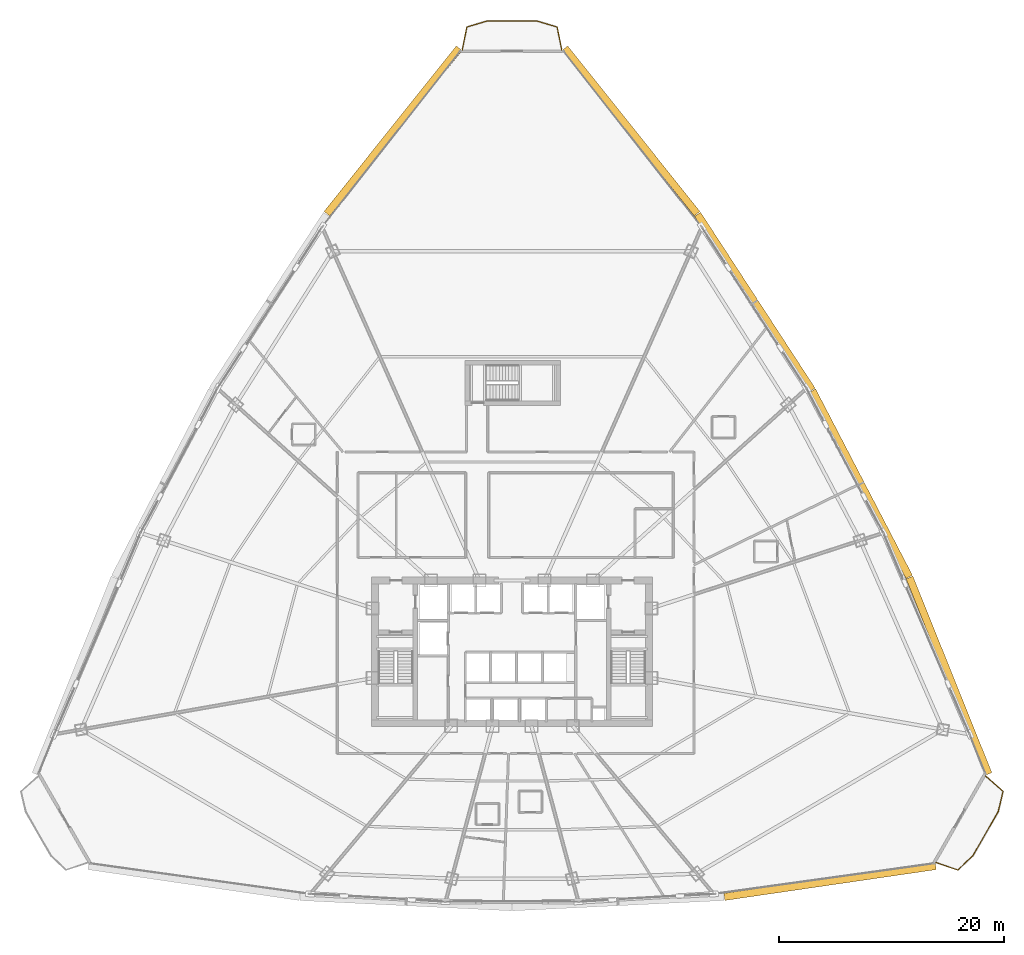
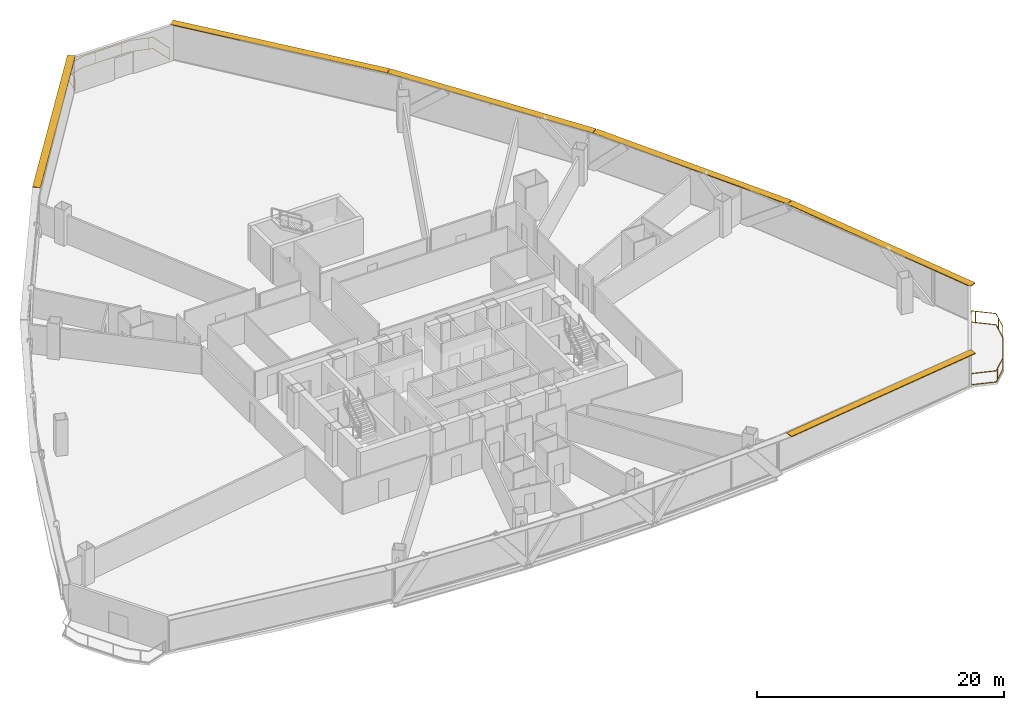
# One storey, part 38 of 38: 6 shading devices, 2 railings.
"""IFC4 building model written with IfcOpenShell, lengths in metres."""

from ifc_helpers import new_model, si_unit, direction, frame, origin, origin_2d, place, context, subcontext, project, spatial, rectangle, extrude, source, transform, mapped, material, layer, layer_set, type_object, element, save


model = new_model("IFC4")

# Units and contexts
model_context = context("Model", 3, precision=1e-05, world=origin(), true_north=direction((0.0, 1.0)))
body_context = subcontext(model_context, "Body", "Model", "MODEL_VIEW")
ifc_project = project(units=[si_unit("LENGTHUNIT", "METRE"), si_unit("AREAUNIT", "SQUARE_METRE"), si_unit("VOLUMEUNIT", "CUBIC_METRE"), si_unit("PLANEANGLEUNIT", "RADIAN"), si_unit("MASSUNIT", "GRAM", prefix="KILO"), si_unit("THERMODYNAMICTEMPERATUREUNIT", "KELVIN"), si_unit("POWERUNIT", "WATT")], contexts=[model_context])

# Site, building, storey
site_placement = place(None, origin())
site = spatial("IfcSite", under=ifc_project, at=site_placement, CompositionType="ELEMENT")
building_placement = place(site_placement, origin())
building = spatial("IfcBuilding", under=site, at=building_placement, Name="Yunzhuo Pagoda Commons", CompositionType="ELEMENT")
storey_placement = place(building_placement, frame((0.0, 0.0, 81.179931640625)))
storey = spatial("IfcBuildingStorey", under=building, at=storey_placement, Name="L20", CompositionType="ELEMENT", Elevation=81.179931640625)

# Railings
ifc_material = material(Name="Anodized aluminium 6063-T6", Category="aluminium")
railing_type = type_object("IfcRailingType", Name="RL-BAL1 Exterior Terrace & Balcony Balustrade 1150", PredefinedType="BALUSTRADE", material=ifc_material)
railing_1_placement = place(storey_placement, frame((85.737060546875, 15.097900390625, 0.0)))
element("IfcRailing", 1, at=railing_1_placement, inside=storey, type_object=railing_type, Name="L20 corner balcony balustrade V2", PredefinedType="BALUSTRADE", context=body_context, shape_type="SweptSolid", body=[
    extrude(rectangle(XDim=0.048095703125, YDim=0.048095703125, at=origin_2d()), frame((0.0, 0.0, 1.1259765625), z_axis=(0.947419062147, -0.319995501031, 0.0), x_axis=(0.319995501031, 0.947419062147, 0.0)), (0.0, 0.0, 1.0), 2.05908203125),
    extrude(rectangle(XDim=0.048095703125, YDim=0.048095703125, at=origin_2d()), frame((0.0, 0.0, 0.02392578125), z_axis=(0.947419062147, -0.319995501031, 0.0), x_axis=(0.319995501031, 0.947419062147, 0.0)), (0.0, 0.0, 1.0), 2.05908203125),
    extrude(rectangle(XDim=0.048095703125, YDim=0.048095703125, at=origin_2d()), frame((1.950927734375, -0.658935546875, 1.1259765625), z_axis=(0.724687687273, 0.689077467282, 0.0), x_axis=(-0.689077467282, 0.724687687273, 0.0)), (0.0, 0.0, 1.0), 1.85791015625),
    extrude(rectangle(XDim=0.048095703125, YDim=0.048095703125, at=origin_2d()), frame((1.950927734375, -0.658935546875, 0.02392578125), z_axis=(0.724687687273, 0.689077467282, 0.0), x_axis=(-0.689077467282, 0.724687687273, 0.0)), (0.0, 0.0, 1.0), 1.85791015625),
    extrude(rectangle(XDim=0.048095703125, YDim=0.048095703125, at=origin_2d()), frame((3.29736328125, 0.621337890625, 1.1259765625), z_axis=(0.497899857491, 0.867234531088, 0.0), x_axis=(-0.867234531088, 0.497899857491, 0.0)), (0.0, 0.0, 1.0), 4.521484375),
    extrude(rectangle(XDim=0.048095703125, YDim=0.048095703125, at=origin_2d()), frame((3.29736328125, 0.621337890625, 0.02392578125), z_axis=(0.497899857491, 0.867234531088, 0.0), x_axis=(-0.867234531088, 0.497899857491, 0.0)), (0.0, 0.0, 1.0), 4.521484375),
    extrude(rectangle(XDim=0.048095703125, YDim=0.048095703125, at=origin_2d()), frame((5.548583984375, 4.54248046875, 1.1259765625), z_axis=(0.229837631651, 0.973228987997, 0.0), x_axis=(-0.973228987997, 0.229837631651, 0.0)), (0.0, 0.0, 1.0), 1.85791015625),
    extrude(rectangle(XDim=0.048095703125, YDim=0.048095703125, at=origin_2d()), frame((5.548583984375, 4.54248046875, 0.02392578125), z_axis=(0.229837631651, 0.973228987997, 0.0), x_axis=(-0.973228987997, 0.229837631651, 0.0)), (0.0, 0.0, 1.0), 1.85791015625),
    extrude(rectangle(XDim=0.048095703125, YDim=0.048095703125, at=origin_2d()), frame((5.9755859375, 6.3505859375, 1.1259765625), z_axis=(-0.753992555518, 0.656882962348, 0.0), x_axis=(-0.656882962348, -0.753992555518, 0.0)), (0.0, 0.0, 1.0), 2.05908203125),
    extrude(rectangle(XDim=0.048095703125, YDim=0.048095703125, at=origin_2d()), frame((5.9755859375, 6.3505859375, 0.02392578125), z_axis=(-0.753992555518, 0.656882962348, 0.0), x_axis=(-0.656882962348, -0.753992555518, 0.0)), (0.0, 0.0, 1.0), 2.05908203125),
    extrude(rectangle(XDim=0.0419921875, YDim=0.0419921875, at=origin_2d()), origin(), (0.0, 0.0, 1.0), 1.101806640625),
    extrude(rectangle(XDim=0.0419921875, YDim=0.0419921875, at=origin_2d()), frame((2.197998046875, -0.424072265625, 0.0)), (0.0, 0.0, 1.0), 1.101806640625),
    extrude(rectangle(XDim=0.0419921875, YDim=0.0419921875, at=origin_2d()), frame((3.73681640625, 1.386962890625, 0.0)), (0.0, 0.0, 1.0), 1.101806640625),
    extrude(rectangle(XDim=0.0419921875, YDim=0.0419921875, at=origin_2d()), frame((4.931884765625, 3.46826171875, 0.0)), (0.0, 0.0, 1.0), 1.101806640625),
    extrude(rectangle(XDim=0.0419921875, YDim=0.0419921875, at=origin_2d()), frame((5.8154296875, 5.6728515625, 0.0)), (0.0, 0.0, 1.0), 1.101806640625),
    extrude(rectangle(XDim=0.0419921875, YDim=0.0419921875, at=origin_2d()), frame((4.691162109375, 7.4697265625, 0.0)), (0.0, 0.0, 1.0), 1.101806640625),
    extrude(rectangle(XDim=0.0419921875, YDim=0.0419921875, at=origin_2d()), frame((4.423095703125, 7.703125, 0.0)), (0.0, 0.0, 1.0), 1.101806640625),
])
railing_2_placement = place(storey_placement, frame((52.422607421875, 87.449951171875, 0.0)))
element("IfcRailing", 2, at=railing_2_placement, inside=storey, type_object=railing_type, Name="L20 corner balcony balustrade V3", PredefinedType="BALUSTRADE", context=body_context, shape_type="SweptSolid", body=[
    extrude(rectangle(XDim=0.048095703125, YDim=0.048095703125, at=origin_2d()), frame((0.0, 0.0, 1.1259765625), z_axis=(-0.194200568098, 0.980961843983, 0.0), x_axis=(-0.980961843983, -0.194200568098, 0.0)), (0.0, 0.0, 1.0), 2.059326171875),
    extrude(rectangle(XDim=0.048095703125, YDim=0.048095703125, at=origin_2d()), frame((0.0, 0.0, 0.02392578125), z_axis=(-0.194200568098, 0.980961843983, 0.0), x_axis=(-0.980961843983, -0.194200568098, 0.0)), (0.0, 0.0, 1.0), 2.059326171875),
    extrude(rectangle(XDim=0.048095703125, YDim=0.048095703125, at=origin_2d()), frame((-0.39990234375, 2.02001953125, 1.1259765625), z_axis=(-0.958036797008, 0.286645243427, 0.0), x_axis=(-0.286645243427, -0.958036797008, 0.0)), (0.0, 0.0, 1.0), 1.84912109375),
    extrude(rectangle(XDim=0.048095703125, YDim=0.048095703125, at=origin_2d()), frame((-0.39990234375, 2.02001953125, 0.02392578125), z_axis=(-0.958036797008, 0.286645243427, 0.0), x_axis=(-0.286645243427, -0.958036797008, 0.0)), (0.0, 0.0, 1.0), 1.84912109375),
    extrude(rectangle(XDim=0.048095703125, YDim=0.048095703125, at=origin_2d()), frame((-2.17138671875, 2.550048828125, 1.1259765625), z_axis=(-1.0, 0.0, 0.0), x_axis=(0.0, -1.0, 0.0)), (0.0, 0.0, 1.0), 4.50244140625),
    extrude(rectangle(XDim=0.048095703125, YDim=0.048095703125, at=origin_2d()), frame((-2.17138671875, 2.550048828125, 0.02392578125), z_axis=(-1.0, 0.0, 0.0), x_axis=(0.0, -1.0, 0.0)), (0.0, 0.0, 1.0), 4.50244140625),
    extrude(rectangle(XDim=0.048095703125, YDim=0.048095703125, at=origin_2d()), frame((-6.673828125, 2.550048828125, 1.1259765625), z_axis=(-0.958036797008, -0.286645243427, 0.0), x_axis=(0.286645243427, -0.958036797008, 0.0)), (0.0, 0.0, 1.0), 1.84912109375),
    extrude(rectangle(XDim=0.048095703125, YDim=0.048095703125, at=origin_2d()), frame((-6.673828125, 2.550048828125, 0.02392578125), z_axis=(-0.958036797008, -0.286645243427, 0.0), x_axis=(0.286645243427, -0.958036797008, 0.0)), (0.0, 0.0, 1.0), 1.84912109375),
    extrude(rectangle(XDim=0.048095703125, YDim=0.048095703125, at=origin_2d()), frame((-8.4453125, 2.02001953125, 1.1259765625), z_axis=(-0.194200568098, -0.980961843983, 0.0), x_axis=(0.980961843983, -0.194200568098, 0.0)), (0.0, 0.0, 1.0), 2.059326171875),
    extrude(rectangle(XDim=0.048095703125, YDim=0.048095703125, at=origin_2d()), frame((-8.4453125, 2.02001953125, 0.02392578125), z_axis=(-0.194200568098, -0.980961843983, 0.0), x_axis=(0.980961843983, -0.194200568098, 0.0)), (0.0, 0.0, 1.0), 2.059326171875),
    extrude(rectangle(XDim=0.0419921875, YDim=0.0419921875, at=origin_2d()), origin(), (0.0, 0.0, 1.0), 1.101806640625),
    extrude(rectangle(XDim=0.0419921875, YDim=0.0419921875, at=origin_2d()), frame((-0.726318359375, 2.11767578125, 0.0)), (0.0, 0.0, 1.0), 1.101806640625),
    extrude(rectangle(XDim=0.0419921875, YDim=0.0419921875, at=origin_2d()), frame((-3.06298828125, 2.550048828125, 0.0)), (0.0, 0.0, 1.0), 1.101806640625),
    extrude(rectangle(XDim=0.0419921875, YDim=0.0419921875, at=origin_2d()), frame((-5.463134765625, 2.550048828125, 0.0)), (0.0, 0.0, 1.0), 1.101806640625),
    extrude(rectangle(XDim=0.0419921875, YDim=0.0419921875, at=origin_2d()), frame((-7.813232421875, 2.209228515625, 0.0)), (0.0, 0.0, 1.0), 1.101806640625),
    extrude(rectangle(XDim=0.0419921875, YDim=0.0419921875, at=origin_2d()), frame((-8.783203125, 0.31298828125, 0.0)), (0.0, 0.0, 1.0), 1.101806640625),
    extrude(rectangle(XDim=0.0419921875, YDim=0.0419921875, at=origin_2d()), frame((-8.84521484375, 0.0, 0.0)), (0.0, 0.0, 1.0), 1.101806640625),
])

# Shading devices
ifc_layer = layer(ifc_material, 0.080078125)
ifc_layer_set = layer_set([ifc_layer], Name="Anodized aluminium 6063-T6")
shading_device_type = type_object("IfcShadingDeviceType", Name="SH-SUN1 Pagoda Horizontal Sunshade Eave 650", PredefinedType="USERDEFINED", material=ifc_layer_set)
shared_shape_1 = source(origin(), body_context, "Body", "SweptSolid", [
    extrude(rectangle(XDim=19.008544921875, YDim=0.64990234375, at=origin_2d()), origin(), (0.0, 0.0, 1.0), 0.080078125),
])
shading_device_placement = place(storey_placement, frame((76.3076171875, 13.415283203125, 3.4599609375), z_axis=(0.0, 0.0, 1.0), x_axis=(0.989510666697, 0.144459823108, 0.0)))
element("IfcShadingDevice", 3, at=shading_device_placement, inside=storey, type_object=shading_device_type, Name="L20 horizontal pagoda sunshade eave F1.4", ObjectType="SUNSHADE", PredefinedType="USERDEFINED", context=body_context, shape_type="MappedRepresentation", body=[
    mapped(shared_shape_1, transform((0.0, 0.0, 0.0), scale=1.0)),
])
shared_shape_2 = source(origin(), body_context, "Body", "SweptSolid", [
    extrude(rectangle(XDim=18.855712890625, YDim=0.64990234375, at=origin_2d()), origin(), (0.0, 0.0, 1.0), 0.080078125),
])
for number, where, z_axis, x_axis, name in (
    (4, (86.898681640625, 31.72607421875, 3.4599609375), (0.0, 0.0, 1.0), (-0.373003976317, 0.927829743893, 0.0), "L20 horizontal pagoda sunshade eave F2.1"),
    (5, (58.59033203125, 80.220947265625, 3.4599609375), (0.0, 0.0, 1.0), (-0.624520471688, 0.781008438138, 0.0), "L20 horizontal pagoda sunshade eave F2.4"),
    (6, (37.40966796875, 80.220947265625, 3.4599609375), (0.0, 0.0, 1.0), (-0.624520471688, -0.781008438138, 0.0), "L20 horizontal pagoda sunshade eave F3.1"),
):
    element("IfcShadingDevice", number, at=place(storey_placement, frame(where, z_axis=z_axis, x_axis=x_axis)), inside=storey, type_object=shading_device_type, Name=name, ObjectType="SUNSHADE", PredefinedType="USERDEFINED", context=body_context, shape_type="MappedRepresentation", body=[
        mapped(shared_shape_2, transform((0.0, 0.0, 0.0), scale=1.0)),
    ])
shared_shape_3 = source(origin(), body_context, "Body", "SweptSolid", [
    extrude(rectangle(XDim=18.6767578125, YDim=0.64990234375, at=origin_2d()), origin(), (0.0, 0.0, 1.0), 0.080078125),
])
for number, where, z_axis, x_axis, name in (
    (7, (79.048828125, 48.81689453125, 3.4599609375), (0.0, 0.0, 1.0), (-0.461206683033, 0.88729273384, 0.0), "L20 horizontal pagoda sunshade eave F2.2"),
    (8, (69.612548828125, 64.982177734375, 3.4599609375), (0.0, 0.0, 1.0), (-0.545838756973, 0.837890238269, 0.0), "L20 horizontal pagoda sunshade eave F2.3"),
):
    element("IfcShadingDevice", number, at=place(storey_placement, frame(where, z_axis=z_axis, x_axis=x_axis)), inside=storey, type_object=shading_device_type, Name=name, ObjectType="SUNSHADE", PredefinedType="USERDEFINED", context=body_context, shape_type="MappedRepresentation", body=[
        mapped(shared_shape_3, transform((0.0, 0.0, 0.0), scale=1.0)),
    ])

save(model, "model.ifc")
